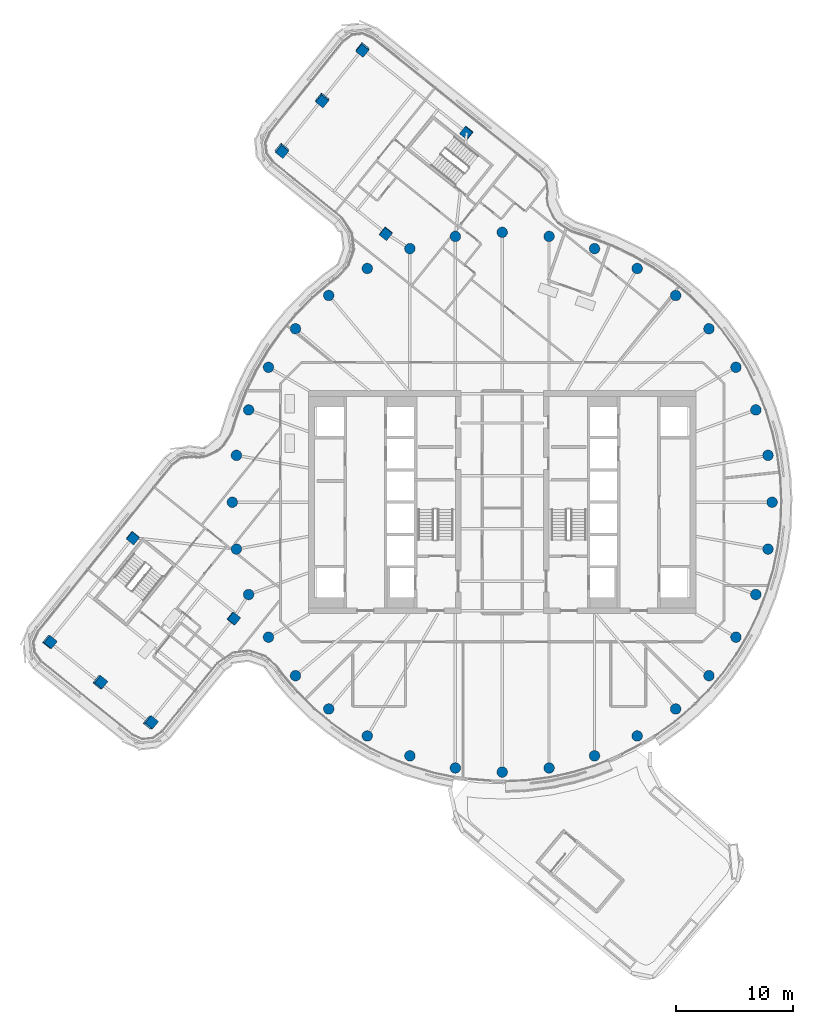
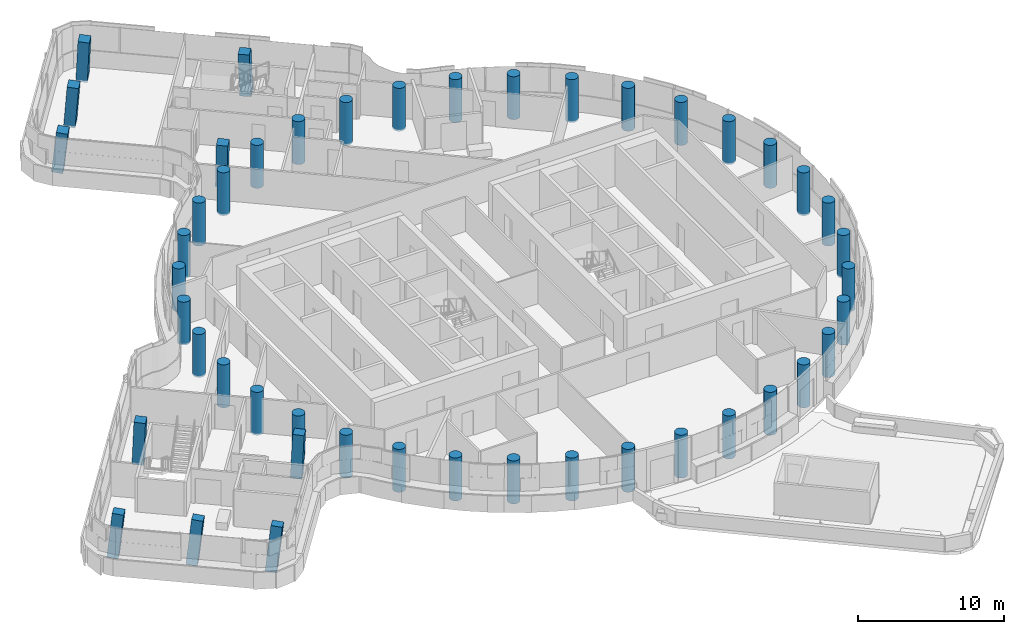
# One storey, part 1 of 25: 46 columns.
"""IFC4 building model written with IfcOpenShell, lengths in metres."""

from ifc_helpers import new_model, si_unit, direction, frame, origin, origin_2d, place, context, subcontext, project, spatial, rectangle, circle, extrude, material, material_profile, profile_set, type_object, element, save


model = new_model("IFC4")

# Units and contexts
model_context = context("Model", 3, precision=1e-05, world=origin(), true_north=direction((0.0, 1.0)))
body_context = subcontext(model_context, "Body", "Model", "MODEL_VIEW")
ifc_project = project(units=[si_unit("LENGTHUNIT", "METRE"), si_unit("AREAUNIT", "SQUARE_METRE"), si_unit("VOLUMEUNIT", "CUBIC_METRE"), si_unit("PLANEANGLEUNIT", "RADIAN"), si_unit("MASSUNIT", "GRAM", prefix="KILO")], contexts=[model_context])

# Site, building, storey
site_placement = place(None, origin())
site = spatial("IfcSite", under=ifc_project, at=site_placement, CompositionType="ELEMENT")
building_placement = place(site_placement, origin())
building = spatial("IfcBuilding", under=site, at=building_placement, Name="Tamarind Cross Interchange Tower", CompositionType="ELEMENT")
storey_placement = place(building_placement, frame((0.0, 0.0, 219.89990234375)))
storey = spatial("IfcBuildingStorey", under=building, at=storey_placement, Name="L55", CompositionType="ELEMENT", Elevation=219.89990234375)

# Columns
ifc_material = material(Name="Concrete C50", Category="concrete")
ifc_material_profile_1 = material_profile(ifc_material, rectangle(XDim=0.800048828125, YDim=0.800048828125, at=origin_2d()), Name="RC 800x800")
ifc_profile_set_1 = profile_set([ifc_material_profile_1], Name="Concrete C50")
column_type_1 = type_object("IfcColumnType", Name="Column RC 800x800 Concrete C50", PredefinedType="COLUMN", material=ifc_profile_set_1)
column_1_placement = place(storey_placement, frame((-9.914794921875, 22.9150390625, -0.13427734375), z_axis=(-0.004139601239, -0.050218113387, 0.998729695558), x_axis=(0.626044507658, 0.7786689847, 0.04174789452)))
element("IfcColumn", 1, at=column_1_placement, inside=storey, type_object=column_type_1, Name="Column L55-045", PredefinedType="COLUMN", context=body_context, shape_type="SweptSolid", body=[
    extrude(rectangle(XDim=0.800048828125, YDim=0.800048828125, at=origin_2d()), origin(), (0.0, 0.0, 1.0), 3.59765625),
])
column_2_placement = place(storey_placement, frame((-3.021728515625, 31.4873046875, -0.134521484375), z_axis=(-0.047839741947, -0.015743007279, 0.998730953166), x_axis=(0.778936132704, -0.626502812053, 0.027435882672)))
element("IfcColumn", 2, at=column_2_placement, inside=storey, type_object=column_type_1, Name="Column L55-046", PredefinedType="COLUMN", context=body_context, shape_type="SweptSolid", body=[
    extrude(rectangle(XDim=0.800048828125, YDim=0.800048828125, at=origin_2d()), origin(), (0.0, 0.0, 1.0), 3.597900390625),
])
column_3_placement = place(storey_placement, frame((-11.8955078125, 38.621826171875, -0.124755859375), z_axis=(-0.018348621509, -0.110836507046, 0.993669259258), x_axis=(0.626012359155, 0.773649156908, 0.097854525701)))
element("IfcColumn", 3, at=column_3_placement, inside=storey, type_object=column_type_1, Name="Column L55-047", PredefinedType="COLUMN", context=body_context, shape_type="SweptSolid", body=[
    extrude(rectangle(XDim=0.800048828125, YDim=0.800048828125, at=origin_2d()), origin(), (0.0, 0.0, 1.0), 3.60595703125),
])
column_4_placement = place(storey_placement, frame((-15.342041015625, 34.335693359375, -0.126708984375), z_axis=(0.003444931905, -0.127732671233, 0.991802650301), x_axis=(0.626633422835, 0.773203207147, 0.097403048434)))
element("IfcColumn", 4, at=column_4_placement, inside=storey, type_object=column_type_1, Name="Column L55-048", PredefinedType="COLUMN", context=body_context, shape_type="SweptSolid", body=[
    extrude(rectangle(XDim=0.800048828125, YDim=0.800048828125, at=origin_2d()), origin(), (0.0, 0.0, 1.0), 3.6142578125),
])
column_5_placement = place(storey_placement, frame((-18.788330078125, 30.049560546875, -0.128662109375), z_axis=(0.025048097727, -0.144430563508, 0.989197859442), x_axis=(0.627776746317, 0.772342054291, 0.096871605529)))
element("IfcColumn", 5, at=column_5_placement, inside=storey, type_object=column_type_1, Name="Column L55-049", PredefinedType="COLUMN", context=body_context, shape_type="SweptSolid", body=[
    extrude(rectangle(XDim=0.800048828125, YDim=0.800048828125, at=origin_2d()), origin(), (0.0, 0.0, 1.0), 3.625732421875),
])
column_6_placement = place(storey_placement, frame((-22.9150390625, -9.914794921875, -0.13427734375), z_axis=(0.050218113387, -0.004139601239, 0.998729695558), x_axis=(-0.7786689847, 0.626044507658, 0.04174789452)))
element("IfcColumn", 6, at=column_6_placement, inside=storey, type_object=column_type_1, Name="Column L55-052", PredefinedType="COLUMN", context=body_context, shape_type="SweptSolid", body=[
    extrude(rectangle(XDim=0.800048828125, YDim=0.800048828125, at=origin_2d()), origin(), (0.0, 0.0, 1.0), 3.59765625),
])
column_7_placement = place(storey_placement, frame((-31.4873046875, -3.021728515625, -0.134521484375), z_axis=(0.015743007279, -0.047839741947, 0.998730953166), x_axis=(0.626502812053, 0.778936132704, 0.027435882672)))
element("IfcColumn", 7, at=column_7_placement, inside=storey, type_object=column_type_1, Name="Column L55-053", PredefinedType="COLUMN", context=body_context, shape_type="SweptSolid", body=[
    extrude(rectangle(XDim=0.800048828125, YDim=0.800048828125, at=origin_2d()), origin(), (0.0, 0.0, 1.0), 3.597900390625),
])
column_8_placement = place(storey_placement, frame((-38.621826171875, -11.8955078125, -0.124755859375), z_axis=(0.110836507046, -0.018348621509, 0.993669259258), x_axis=(-0.773649156908, 0.626012359155, 0.097854525701)))
element("IfcColumn", 8, at=column_8_placement, inside=storey, type_object=column_type_1, Name="Column L55-054", PredefinedType="COLUMN", context=body_context, shape_type="SweptSolid", body=[
    extrude(rectangle(XDim=0.800048828125, YDim=0.800048828125, at=origin_2d()), origin(), (0.0, 0.0, 1.0), 3.60595703125),
])
column_9_placement = place(storey_placement, frame((-34.335693359375, -15.342041015625, -0.126708984375), z_axis=(0.127732671233, 0.003444931905, 0.991802650301), x_axis=(-0.773203207147, 0.626633422835, 0.097403048434)))
element("IfcColumn", 9, at=column_9_placement, inside=storey, type_object=column_type_1, Name="Column L55-055", PredefinedType="COLUMN", context=body_context, shape_type="SweptSolid", body=[
    extrude(rectangle(XDim=0.800048828125, YDim=0.800048828125, at=origin_2d()), origin(), (0.0, 0.0, 1.0), 3.6142578125),
])
column_10_placement = place(storey_placement, frame((-30.049560546875, -18.788330078125, -0.128662109375), z_axis=(0.144430563508, 0.025048097727, 0.989197859442), x_axis=(-0.772342054291, 0.627776746317, 0.096871605529)))
element("IfcColumn", 10, at=column_10_placement, inside=storey, type_object=column_type_1, Name="Column L55-056", PredefinedType="COLUMN", context=body_context, shape_type="SweptSolid", body=[
    extrude(rectangle(XDim=0.800048828125, YDim=0.800048828125, at=origin_2d()), origin(), (0.0, 0.0, 1.0), 3.625732421875),
])
ifc_material_profile_2 = material_profile(ifc_material, circle(Radius=0.449951171875, at=origin_2d()), Name="RC D900")
ifc_profile_set_2 = profile_set([ifc_material_profile_2], Name="Concrete C50")
column_type_2 = type_object("IfcColumnType", Name="Column RC D900 Concrete C50", PredefinedType="COLUMN", material=ifc_profile_set_2)
for number, where, z_axis, x_axis, name in (
    (11, (23.0, 0.0, -0.139892578125), (0.0, 0.0, 1.0), (1.0, 0.0, 0.0), "Column L55-000"),
    (12, (22.650634765625, 3.993896484375, -0.139892578125), (0.0, 0.0, 1.0), (1.0, 0.0, 0.0), "Column L55-001"),
    (13, (21.613037109375, 7.866455078125, -0.139892578125), (0.0, 0.0, 1.0), (1.0, 0.0, 0.0), "Column L55-002"),
    (14, (19.918701171875, 11.5, -0.139892578125), (0.0, 0.0, 1.0), (1.0, 0.0, 0.0), "Column L55-003"),
    (15, (17.619140625, 14.7841796875, -0.139892578125), (0.0, 0.0, 1.0), (1.0, 0.0, 0.0), "Column L55-004"),
    (16, (14.7841796875, 17.619140625, -0.139892578125), (0.0, 0.0, 1.0), (1.0, 0.0, 0.0), "Column L55-005"),
    (17, (11.5, 19.918701171875, -0.139892578125), (0.0, 0.0, 1.0), (1.0, 0.0, 0.0), "Column L55-006"),
    (18, (7.866455078125, 21.613037109375, -0.139892578125), (0.0, 0.0, 1.0), (1.0, 0.0, 0.0), "Column L55-007"),
    (19, (3.993896484375, 22.650634765625, -0.139892578125), (0.0, 0.0, 1.0), (1.0, 0.0, 0.0), "Column L55-008"),
    (20, (0.0, 23.0, -0.139892578125), (0.0, 0.0, 1.0), (1.0, 0.0, 0.0), "Column L55-009"),
    (21, (-3.993896484375, 22.650634765625, -0.139892578125), (0.0, 0.0, 1.0), (1.0, 0.0, 0.0), "Column L55-010"),
    (22, (-7.866455078125, 21.613037109375, -0.139892578125), (0.0, 0.0, 1.0), (1.0, 0.0, 0.0), "Column L55-011"),
    (23, (-11.5, 19.918701171875, -0.139892578125), (0.0, 0.0, 1.0), (1.0, 0.0, 0.0), "Column L55-012"),
    (24, (-14.7841796875, 17.619140625, -0.139892578125), (0.0, 0.0, 1.0), (1.0, 0.0, 0.0), "Column L55-013"),
    (25, (-17.619140625, 14.7841796875, -0.139892578125), (0.0, 0.0, 1.0), (1.0, 0.0, 0.0), "Column L55-014"),
    (26, (-19.918701171875, 11.5, -0.139892578125), (0.0, 0.0, 1.0), (1.0, 0.0, 0.0), "Column L55-015"),
    (27, (-21.613037109375, 7.866455078125, -0.139892578125), (0.0, 0.0, 1.0), (1.0, 0.0, 0.0), "Column L55-016"),
    (28, (-22.650634765625, 3.993896484375, -0.139892578125), (0.0, 0.0, 1.0), (1.0, 0.0, 0.0), "Column L55-017"),
    (29, (-23.0, 0.0, -0.139892578125), (0.0, 0.0, 1.0), (1.0, 0.0, 0.0), "Column L55-018"),
    (30, (-22.650634765625, -3.993896484375, -0.139892578125), (0.0, 0.0, 1.0), (1.0, 0.0, 0.0), "Column L55-019"),
    (31, (-21.613037109375, -7.866455078125, -0.139892578125), (0.0, 0.0, 1.0), (1.0, 0.0, 0.0), "Column L55-020"),
    (32, (-19.918701171875, -11.5, -0.139892578125), (0.0, 0.0, 1.0), (1.0, 0.0, 0.0), "Column L55-021"),
    (33, (-17.619140625, -14.7841796875, -0.139892578125), (0.0, 0.0, 1.0), (1.0, 0.0, 0.0), "Column L55-022"),
    (34, (-14.7841796875, -17.619140625, -0.139892578125), (0.0, 0.0, 1.0), (1.0, 0.0, 0.0), "Column L55-023"),
    (35, (-11.5, -19.918701171875, -0.139892578125), (0.0, 0.0, 1.0), (1.0, 0.0, 0.0), "Column L55-024"),
    (36, (-7.866455078125, -21.613037109375, -0.139892578125), (0.0, 0.0, 1.0), (1.0, 0.0, 0.0), "Column L55-025"),
    (37, (-3.993896484375, -22.650634765625, -0.139892578125), (0.0, 0.0, 1.0), (1.0, 0.0, 0.0), "Column L55-026"),
    (38, (0.0, -23.0, -0.139892578125), (0.0, 0.0, 1.0), (1.0, 0.0, 0.0), "Column L55-027"),
    (39, (3.993896484375, -22.650634765625, -0.139892578125), (0.0, 0.0, 1.0), (1.0, 0.0, 0.0), "Column L55-028"),
    (40, (7.866455078125, -21.613037109375, -0.139892578125), (0.0, 0.0, 1.0), (1.0, 0.0, 0.0), "Column L55-029"),
    (41, (11.5, -19.918701171875, -0.139892578125), (0.0, 0.0, 1.0), (1.0, 0.0, 0.0), "Column L55-030"),
    (42, (14.7841796875, -17.619140625, -0.139892578125), (0.0, 0.0, 1.0), (1.0, 0.0, 0.0), "Column L55-031"),
    (43, (17.619140625, -14.7841796875, -0.139892578125), (0.0, 0.0, 1.0), (1.0, 0.0, 0.0), "Column L55-032"),
    (44, (19.918701171875, -11.5, -0.139892578125), (0.0, 0.0, 1.0), (1.0, 0.0, 0.0), "Column L55-033"),
    (45, (21.613037109375, -7.866455078125, -0.139892578125), (0.0, 0.0, 1.0), (1.0, 0.0, 0.0), "Column L55-034"),
    (46, (22.650634765625, -3.993896484375, -0.139892578125), (0.0, 0.0, 1.0), (1.0, 0.0, 0.0), "Column L55-035"),
):
    element("IfcColumn", number, at=place(storey_placement, frame(where, z_axis=z_axis, x_axis=x_axis)), inside=storey, type_object=column_type_2, Name=name, PredefinedType="COLUMN", context=body_context, shape_type="SweptSolid", body=[
        extrude(circle(Radius=0.449951171875, at=origin_2d()), origin(), (0.0, 0.0, 1.0), 3.60009765625),
    ])

save(model, "model.ifc")
